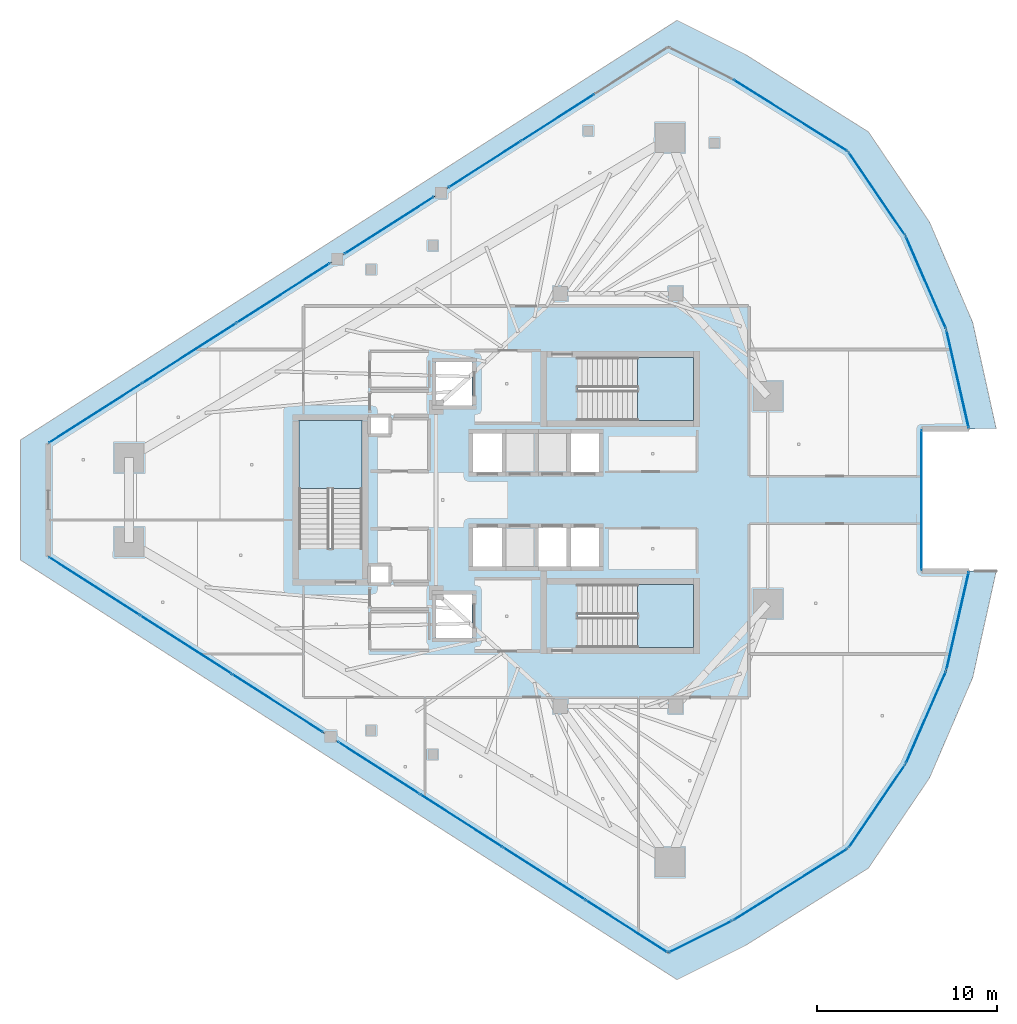
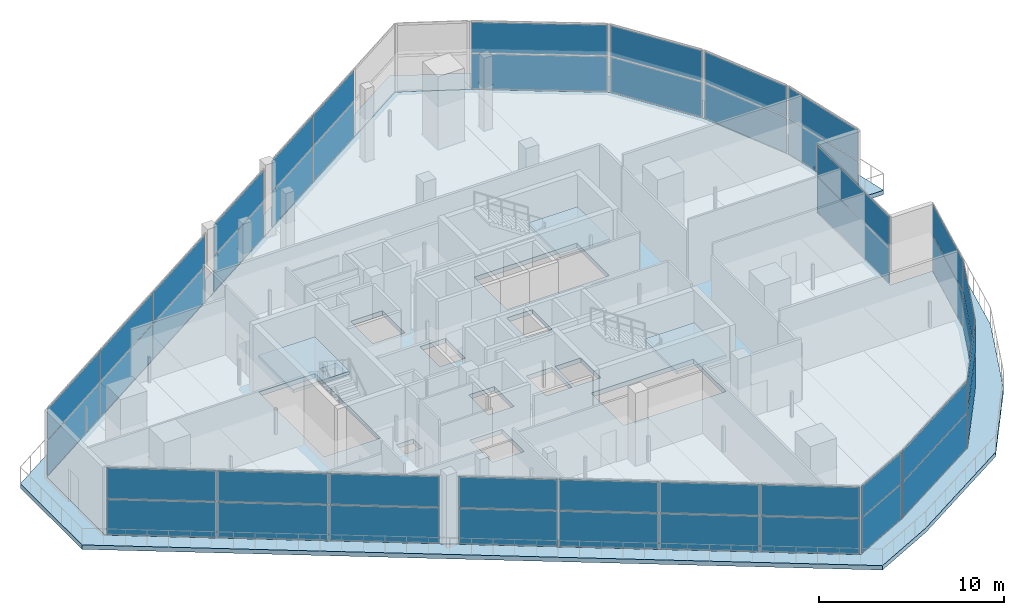
# One storey, part 24 of 36: 46 plates, 5 slabs, 18 elements without a shape of their own.
"""IFC4 building model written with IfcOpenShell, lengths in metres."""

import ifcopenshell
import ifcopenshell.guid

model = None  # the IFC model being written
_history = None  # IfcOwnerHistory: only IFC2X3 demands one
_inside = {}  # id of a spatial element -> (the spatial element, [elements in it])
_under = {}  # id of a project, library or spatial element -> (it, [spatial elements below it])
_declared = {}  # id of a project -> (the project, [libraries it declares])
_typed = {}  # id of a type object -> (the type object, [elements of that type])
_made_of = {}  # id of a material, layer set ... -> (it, [elements and type objects made of it])


def new_model(schema):
    """Start an empty IFC model of exactly this schema.

    Asked for "IFC4X3", IfcOpenShell would pick the latest addendum, in which some entities
    have other attributes; the version numbers below select the first issue.
    IFC2X3 requires an IfcOwnerHistory on every rooted entity: one is made here for all.
    """
    global model, _history
    if schema == "IFC4X3":
        model = ifcopenshell.file(schema_version=(4, 3, 0, 0))
    else:
        model = ifcopenshell.file(schema=schema)
    _inside.clear()
    _under.clear()
    _declared.clear()
    _typed.clear()
    _made_of.clear()
    _history = None
    if model.schema == "IFC2X3":
        org = make("IfcOrganization", Name="unknown")
        user = make(
            "IfcPersonAndOrganization",
            ThePerson=make("IfcPerson", FamilyName="unknown"),
            TheOrganization=org,
        )
        app = make(
            "IfcApplication",
            ApplicationDeveloper=org,
            Version="unknown",
            ApplicationFullName="unknown",
            ApplicationIdentifier="unknown",
        )
        _history = make(
            "IfcOwnerHistory",
            OwningUser=user,
            OwningApplication=app,
            ChangeAction="ADDED",
            CreationDate=0,
        )
    return model


def make(cls, **values):
    """One entity of the class cls with the attributes given. An attribute that is None is left unset."""
    return model.create_entity(
        cls, **{name: value for name, value in values.items() if value is not None}
    )


def rooted(cls, **values):
    """An entity with a GlobalId (a new one), such as an element, a storey or a relation."""
    return make(cls, GlobalId=ifcopenshell.guid.new(), OwnerHistory=_history, **values)


def si_unit(unit_type, name, prefix=None):
    """IfcSIUnit, for example si_unit("LENGTHUNIT", "METRE", prefix="MILLI")."""
    return make("IfcSIUnit", UnitType=unit_type, Prefix=prefix, Name=name)


def assignment(units):
    """IfcUnitAssignment: the units of a project."""
    return None if units is None else make("IfcUnitAssignment", Units=units)


def point(xyz):
    """IfcCartesianPoint."""
    return None if xyz is None else make("IfcCartesianPoint", Coordinates=xyz)


def direction(xyz):
    """IfcDirection."""
    return None if xyz is None else make("IfcDirection", DirectionRatios=xyz)


def frame(location, z_axis=None, x_axis=None):
    """IfcAxis2Placement3D, a coordinate frame: its origin and axes. An axis left out is left unset."""
    return make(
        "IfcAxis2Placement3D",
        Location=point(location),
        Axis=direction(z_axis),
        RefDirection=direction(x_axis),
    )


def frame_2d(location, x_axis=None):
    """IfcAxis2Placement2D, a coordinate frame in the plane: its origin and x axis."""
    return make(
        "IfcAxis2Placement2D", Location=point(location), RefDirection=direction(x_axis)
    )


def origin():
    """The frame at (0, 0, 0) with its axes left unset."""
    return frame((0.0, 0.0, 0.0))


def origin_2d():
    """The frame at (0, 0) in the plane with its x axis left unset."""
    return frame_2d((0.0, 0.0))


def place(relative_to, where):
    """IfcLocalPlacement: puts the frame where relative to a parent placement (None: the world)."""
    return make(
        "IfcLocalPlacement", PlacementRelTo=relative_to, RelativePlacement=where
    )


def context(
    kind, dimensions, precision=None, world=None, true_north=None, identifier=None
):
    """IfcGeometricRepresentationContext, for example the 3D "Model" context."""
    return make(
        "IfcGeometricRepresentationContext",
        ContextIdentifier=identifier,
        ContextType=kind,
        CoordinateSpaceDimension=dimensions,
        Precision=precision,
        WorldCoordinateSystem=world,
        TrueNorth=true_north,
    )


def subcontext(parent, identifier, kind, view, scale=None):
    """IfcGeometricRepresentationSubContext, for example "Body" below "Model"."""
    return make(
        "IfcGeometricRepresentationSubContext",
        ContextIdentifier=identifier,
        ContextType=kind,
        ParentContext=parent,
        TargetScale=scale,
        TargetView=view,
    )


def project(units=None, contexts=None):
    """IfcProject with its units and contexts."""
    return rooted(
        "IfcProject",
        Name="project",
        RepresentationContexts=contexts,
        UnitsInContext=assignment(units),
    )


def spatial(cls, under=None, at=None, **own):
    """A site, building, storey or space (cls), placed at a placement, below another one or the project."""
    s = rooted(cls, ObjectPlacement=at, **own)
    if under is not None:
        _under.setdefault(under.id(), (under, []))[1].append(s)
    return s


def polyline(points):
    """IfcPolyline through the points."""
    return make("IfcPolyline", Points=[point(p) for p in points])


def profile(cls, at=None, kind="AREA", **sizes):
    """A parametric profile (cls). Its sizes go by their IFC names, for example OverallWidth=200.0."""
    return make(cls, ProfileType=kind, Position=at, **sizes)


def rectangle(**sizes):
    """IfcRectangleProfileDef."""
    return profile("IfcRectangleProfileDef", **sizes)


def outline(outer, holes=None, kind="AREA"):
    """IfcArbitraryClosedProfileDef: a profile drawn as a closed curve; with holes, ...WithVoids."""
    if holes is None:
        return make("IfcArbitraryClosedProfileDef", ProfileType=kind, OuterCurve=outer)
    return make(
        "IfcArbitraryProfileDefWithVoids",
        ProfileType=kind,
        OuterCurve=outer,
        InnerCurves=holes,
    )


def extrude(swept, where, along, depth):
    """IfcExtrudedAreaSolid: the profile swept, set in the frame where, extruded along a direction by depth."""
    return make(
        "IfcExtrudedAreaSolid",
        SweptArea=swept,
        Position=where,
        ExtrudedDirection=direction(along),
        Depth=depth,
    )


def shape(context_of_items, identifier, shape_type, items):
    """IfcShapeRepresentation: the items that make up one representation, for example the "Body"."""
    return make(
        "IfcShapeRepresentation",
        ContextOfItems=context_of_items,
        RepresentationIdentifier=identifier,
        RepresentationType=shape_type,
        Items=items,
    )


def material(Name=None, Category=None):
    """IfcMaterial."""
    return make("IfcMaterial", Name=Name, Category=Category)


def layer(
    of_material, thickness, ventilated=None, Name=None, Category=None, Priority=None
):
    """IfcMaterialLayer: one layer of a wall or slab, of a material (None: an air gap)."""
    return make(
        "IfcMaterialLayer",
        Material=of_material,
        LayerThickness=thickness,
        IsVentilated=ventilated,
        Name=Name,
        Category=Category,
        Priority=Priority,
    )


def layer_set(layers, Name=None):
    """IfcMaterialLayerSet."""
    return make("IfcMaterialLayerSet", MaterialLayers=layers, LayerSetName=Name)


def made_of(thing, what):
    """Note that an element or type object is made of a material, layer set ...; save() writes the relation."""
    if what is not None:
        _made_of.setdefault(what.id(), (what, []))[1].append(thing)
    return thing


def type_object(cls, material=None, **own):
    """A type object (cls), such as IfcWallType, which elements share."""
    return made_of(rooted(cls, **own), material)


def element(
    cls,
    number,
    at=None,
    inside=None,
    cuts=None,
    type_object=None,
    material=None,
    context=None,
    identifier="Body",
    shape_type=None,
    held_by="IfcProductDefinitionShape",
    body=None,
    shapes=None,
    **own,
):
    """One element of the class cls, such as IfcWall. Its Tag is "e" and its number.

    at: its placement. inside: the storey or other place that contains it. cuts: it is an
    opening in that element (IfcRelVoidsElement). A single representation is given by context,
    identifier, shape_type and body (its items); several are given by shapes. held_by: the class
    of the entity that holds the representations. save() writes the other relations.
    """
    e = rooted(cls, Tag="e%d" % number, ObjectPlacement=at, **own)
    if body is not None:
        shapes = [shape(context, identifier, shape_type, body)]
    if shapes is not None:
        e.Representation = make(held_by, Representations=shapes)
    if inside is not None:
        _inside.setdefault(inside.id(), (inside, []))[1].append(e)
    if cuts is not None:
        rooted(
            "IfcRelVoidsElement", RelatingBuildingElement=cuts, RelatedOpeningElement=e
        )
    if type_object is not None:
        _typed.setdefault(type_object.id(), (type_object, []))[1].append(e)
    return made_of(e, material)


def aggregate(whole, parts):
    """IfcRelAggregates: a whole, such as a stair, and the parts it consists of."""
    return rooted("IfcRelAggregates", RelatingObject=whole, RelatedObjects=parts)


def save(model, path):
    """Write the relations noted so far, then the file.

    IfcRelAggregates (storeys below a building ...), IfcRelContainedInSpatialStructure (elements
    in a storey), IfcRelDefinesByType, IfcRelAssociatesMaterial and IfcRelDeclares: one each for
    every whole, place, type object, material and project.
    """
    for whole, parts in _under.values():
        aggregate(whole, parts)
    for where, things in _inside.values():
        rooted(
            "IfcRelContainedInSpatialStructure",
            RelatedElements=things,
            RelatingStructure=where,
        )
    for kind, things in _typed.values():
        rooted("IfcRelDefinesByType", RelatedObjects=things, RelatingType=kind)
    for what, things in _made_of.values():
        rooted("IfcRelAssociatesMaterial", RelatedObjects=things, RelatingMaterial=what)
    for by, libraries in _declared.values():
        rooted("IfcRelDeclares", RelatingContext=by, RelatedDefinitions=libraries)
    model.write(path)


model = new_model("IFC4")

# Units and contexts
model_context = context("Model", 3, precision=1e-05, world=origin(), true_north=direction((0.0, 1.0)))
body_context = subcontext(model_context, "Body", "Model", "MODEL_VIEW")
ifc_project = project(units=[si_unit("LENGTHUNIT", "METRE"), si_unit("AREAUNIT", "SQUARE_METRE"), si_unit("VOLUMEUNIT", "CUBIC_METRE"), si_unit("PLANEANGLEUNIT", "RADIAN"), si_unit("MASSUNIT", "GRAM", prefix="KILO")], contexts=[model_context])

# Site, building, storey
site_placement = place(None, origin())
site = spatial("IfcSite", under=ifc_project, at=site_placement, CompositionType="ELEMENT")
building_placement = place(site_placement, origin())
building = spatial("IfcBuilding", under=site, at=building_placement, Name="Qorvath Tower", CompositionType="ELEMENT")
storey_placement = place(building_placement, frame((0.0, 0.0, 255.0)))
storey = spatial("IfcBuildingStorey", under=building, at=storey_placement, Name="L59", CompositionType="ELEMENT", Elevation=255.0)

# Curtain wall, plates
ifc_material_1 = material(Name="Anodised aluminium and triple low-E glass", Category="aluminium")
ifc_layer_1 = layer(ifc_material_1, 0.179931640625)
ifc_layer_set_1 = layer_set([ifc_layer_1], Name="CW-SYS-5")
curtain_wall_type = type_object("IfcCurtainWallType", Name="CW-SYS-5", PredefinedType="NOTDEFINED", material=ifc_layer_set_1)
curtain_wall_1_placement = place(storey_placement, origin())
curtain_wall_1 = element("IfcCurtainWall", 1, at=curtain_wall_1_placement, inside=storey, type_object=curtain_wall_type, Name="Curtain Wall CW-5 CW-T-L59-2.1", PredefinedType="NOTDEFINED")
ifc_material_2 = material(Name="Acoustic laminated low-E glass", Category="glass")
ifc_layer_2 = layer(ifc_material_2, 0.0380859375)
ifc_layer_set_2 = layer_set([ifc_layer_2], Name="CWP-GLZ-38")
plate_type = type_object("IfcPlateType", Name="CWP-GLZ-38", PredefinedType="CURTAIN_PANEL", material=ifc_layer_set_2)
plate_1_placement = place(storey_placement, frame((-49.469970703125, -4.7822265625, 0.06494140625), z_axis=(0.0, 0.0, 1.0), x_axis=(0.842605265285, -0.538531676797, 0.0)))
plate_1 = element("IfcPlate", 2, at=plate_1_placement, type_object=plate_type, Name="CW-5 panel 1.1", PredefinedType="CURTAIN_PANEL", context=body_context, shape_type="SweptSolid", body=[
    extrude(rectangle(XDim=5.940673828125, YDim=0.0380859375, at=origin_2d()), origin(), (0.0, 0.0, 1.0), 2.302490234375),
])
plate_2_placement = place(storey_placement, frame((-49.469970703125, -4.7822265625, 2.432373046875), z_axis=(0.0, 0.0, 1.0), x_axis=(0.842605265285, -0.538531676797, 0.0)))
plate_2 = element("IfcPlate", 3, at=plate_2_placement, type_object=plate_type, Name="CW-5 panel 1.2", PredefinedType="CURTAIN_PANEL", context=body_context, shape_type="SweptSolid", body=[
    extrude(rectangle(XDim=5.940673828125, YDim=0.0380859375, at=origin_2d()), origin(), (0.0, 0.0, 1.0), 2.0126953125),
])
plate_3_placement = place(storey_placement, frame((-44.38525390625, -8.031982421875, 0.06494140625), z_axis=(0.0, 0.0, 1.0), x_axis=(0.842605265285, -0.538531676797, 0.0)))
plate_3 = element("IfcPlate", 4, at=plate_3_placement, type_object=plate_type, Name="CW-5 panel 2.1", PredefinedType="CURTAIN_PANEL", context=body_context, shape_type="SweptSolid", body=[
    extrude(rectangle(XDim=5.978271484375, YDim=0.0380859375, at=origin_2d()), origin(), (0.0, 0.0, 1.0), 2.302490234375),
])
plate_4_placement = place(storey_placement, frame((-44.38525390625, -8.031982421875, 2.432373046875), z_axis=(0.0, 0.0, 1.0), x_axis=(0.842605265285, -0.538531676797, 0.0)))
plate_4 = element("IfcPlate", 5, at=plate_4_placement, type_object=plate_type, Name="CW-5 panel 2.2", PredefinedType="CURTAIN_PANEL", context=body_context, shape_type="SweptSolid", body=[
    extrude(rectangle(XDim=5.978271484375, YDim=0.0380859375, at=origin_2d()), origin(), (0.0, 0.0, 1.0), 2.0126953125),
])
plate_5_placement = place(storey_placement, frame((-39.300537109375, -11.281982421875, 0.06494140625), z_axis=(0.0, 0.0, 1.0), x_axis=(0.842605265285, -0.538531676797, 0.0)))
plate_5 = element("IfcPlate", 6, at=plate_5_placement, type_object=plate_type, Name="CW-5 panel 3.1", PredefinedType="CURTAIN_PANEL", context=body_context, shape_type="SweptSolid", body=[
    extrude(rectangle(XDim=5.940673828125, YDim=0.0380859375, at=origin_2d()), origin(), (0.0, 0.0, 1.0), 2.302490234375),
])
plate_6_placement = place(storey_placement, frame((-39.300537109375, -11.281982421875, 2.432373046875), z_axis=(0.0, 0.0, 1.0), x_axis=(0.842605265285, -0.538531676797, 0.0)))
plate_6 = element("IfcPlate", 7, at=plate_6_placement, type_object=plate_type, Name="CW-5 panel 3.2", PredefinedType="CURTAIN_PANEL", context=body_context, shape_type="SweptSolid", body=[
    extrude(rectangle(XDim=5.940673828125, YDim=0.0380859375, at=origin_2d()), origin(), (0.0, 0.0, 1.0), 2.0126953125),
])
aggregate(curtain_wall_1, [plate_1, plate_2, plate_3, plate_4, plate_5, plate_6])

curtain_wall_2_placement = place(storey_placement, origin())
curtain_wall_2 = element("IfcCurtainWall", 8, at=curtain_wall_2_placement, inside=storey, type_object=curtain_wall_type, Name="Curtain Wall CW-5 CW-T-L59-2.2", PredefinedType="NOTDEFINED")
plate_7_placement = place(storey_placement, frame((-33.68212890625, -14.872802734375, 0.06494140625), z_axis=(0.0, 0.0, 1.0), x_axis=(0.842603545368, -0.538534367829, 0.0)))
plate_7 = element("IfcPlate", 9, at=plate_7_placement, type_object=plate_type, Name="CW-5 panel 1.1", PredefinedType="CURTAIN_PANEL", context=body_context, shape_type="SweptSolid", body=[
    extrude(rectangle(XDim=5.339111328125, YDim=0.0380859375, at=origin_2d()), origin(), (0.0, 0.0, 1.0), 2.302490234375),
])
plate_8_placement = place(storey_placement, frame((-33.68212890625, -14.872802734375, 2.432373046875), z_axis=(0.0, 0.0, 1.0), x_axis=(0.842603545368, -0.538534367829, 0.0)))
plate_8 = element("IfcPlate", 10, at=plate_8_placement, type_object=plate_type, Name="CW-5 panel 1.2", PredefinedType="CURTAIN_PANEL", context=body_context, shape_type="SweptSolid", body=[
    extrude(rectangle(XDim=5.339111328125, YDim=0.0380859375, at=origin_2d()), origin(), (0.0, 0.0, 1.0), 2.0126953125),
])
plate_9_placement = place(storey_placement, frame((-29.104248046875, -17.798583984375, 0.06494140625), z_axis=(0.0, 0.0, 1.0), x_axis=(0.842603545368, -0.538534367829, 0.0)))
plate_9 = element("IfcPlate", 11, at=plate_9_placement, type_object=plate_type, Name="CW-5 panel 2.1", PredefinedType="CURTAIN_PANEL", context=body_context, shape_type="SweptSolid", body=[
    extrude(rectangle(XDim=5.37646484375, YDim=0.0380859375, at=origin_2d()), origin(), (0.0, 0.0, 1.0), 2.302490234375),
])
plate_10_placement = place(storey_placement, frame((-29.104248046875, -17.798583984375, 2.432373046875), z_axis=(0.0, 0.0, 1.0), x_axis=(0.842603545368, -0.538534367829, 0.0)))
plate_10 = element("IfcPlate", 12, at=plate_10_placement, type_object=plate_type, Name="CW-5 panel 2.2", PredefinedType="CURTAIN_PANEL", context=body_context, shape_type="SweptSolid", body=[
    extrude(rectangle(XDim=5.37646484375, YDim=0.0380859375, at=origin_2d()), origin(), (0.0, 0.0, 1.0), 2.0126953125),
])
plate_11_placement = place(storey_placement, frame((-24.5107421875, -20.734375, 0.06494140625), z_axis=(0.0, 0.0, 1.0), x_axis=(0.842603545368, -0.538534367829, 0.0)))
plate_11 = element("IfcPlate", 13, at=plate_11_placement, type_object=plate_type, Name="CW-5 panel 3.1", PredefinedType="CURTAIN_PANEL", context=body_context, shape_type="SweptSolid", body=[
    extrude(rectangle(XDim=5.37646484375, YDim=0.0380859375, at=origin_2d()), origin(), (0.0, 0.0, 1.0), 2.302490234375),
])
plate_12_placement = place(storey_placement, frame((-24.5107421875, -20.734375, 2.432373046875), z_axis=(0.0, 0.0, 1.0), x_axis=(0.842603545368, -0.538534367829, 0.0)))
plate_12 = element("IfcPlate", 14, at=plate_12_placement, type_object=plate_type, Name="CW-5 panel 3.2", PredefinedType="CURTAIN_PANEL", context=body_context, shape_type="SweptSolid", body=[
    extrude(rectangle(XDim=5.37646484375, YDim=0.0380859375, at=origin_2d()), origin(), (0.0, 0.0, 1.0), 2.0126953125),
])
plate_13_placement = place(storey_placement, frame((-19.93310546875, -23.66015625, 0.06494140625), z_axis=(0.0, 0.0, 1.0), x_axis=(0.842603545368, -0.538534367829, 0.0)))
plate_13 = element("IfcPlate", 15, at=plate_13_placement, type_object=plate_type, Name="CW-5 panel 4.1", PredefinedType="CURTAIN_PANEL", context=body_context, shape_type="SweptSolid", body=[
    extrude(rectangle(XDim=5.339111328125, YDim=0.0380859375, at=origin_2d()), origin(), (0.0, 0.0, 1.0), 2.302490234375),
])
plate_14_placement = place(storey_placement, frame((-19.93310546875, -23.66015625, 2.432373046875), z_axis=(0.0, 0.0, 1.0), x_axis=(0.842603545368, -0.538534367829, 0.0)))
plate_14 = element("IfcPlate", 16, at=plate_14_placement, type_object=plate_type, Name="CW-5 panel 4.2", PredefinedType="CURTAIN_PANEL", context=body_context, shape_type="SweptSolid", body=[
    extrude(rectangle(XDim=5.339111328125, YDim=0.0380859375, at=origin_2d()), origin(), (0.0, 0.0, 1.0), 2.0126953125),
])
aggregate(curtain_wall_2, [plate_7, plate_8, plate_9, plate_10, plate_11, plate_12, plate_13, plate_14])

curtain_wall_3_placement = place(storey_placement, origin())
curtain_wall_3 = element("IfcCurtainWall", 17, at=curtain_wall_3_placement, inside=storey, type_object=curtain_wall_type, Name="Curtain Wall CW-5 CW-T-L59-3.1", PredefinedType="NOTDEFINED")
plate_15_placement = place(storey_placement, frame((-15.824951171875, -24.240478515625, 0.06494140625), z_axis=(0.0, 0.0, 1.0), x_axis=(0.894452095696, 0.44716378264, 0.0)))
plate_15 = element("IfcPlate", 18, at=plate_15_placement, type_object=plate_type, Name="CW-5 panel 1.1", PredefinedType="CURTAIN_PANEL", context=body_context, shape_type="SweptSolid", body=[
    extrude(rectangle(XDim=3.864990234375, YDim=0.0380859375, at=origin_2d()), origin(), (0.0, 0.0, 1.0), 2.302490234375),
])
plate_16_placement = place(storey_placement, frame((-15.824951171875, -24.240478515625, 2.432373046875), z_axis=(0.0, 0.0, 1.0), x_axis=(0.894452095696, 0.44716378264, 0.0)))
plate_16 = element("IfcPlate", 19, at=plate_16_placement, type_object=plate_type, Name="CW-5 panel 1.2", PredefinedType="CURTAIN_PANEL", context=body_context, shape_type="SweptSolid", body=[
    extrude(rectangle(XDim=3.864990234375, YDim=0.0380859375, at=origin_2d()), origin(), (0.0, 0.0, 1.0), 2.0126953125),
])
aggregate(curtain_wall_3, [plate_15, plate_16])

curtain_wall_4_placement = place(storey_placement, origin())
curtain_wall_4 = element("IfcCurtainWall", 20, at=curtain_wall_4_placement, inside=storey, type_object=curtain_wall_type, Name="Curtain Wall CW-5 CW-T-L59-4.1", PredefinedType="NOTDEFINED")
plate_17_placement = place(storey_placement, frame((-10.829833984375, -21.3408203125, 0.06494140625), z_axis=(0.0, 0.0, 1.0), x_axis=(0.847707173302, 0.530464464721, 0.0)))
plate_17 = element("IfcPlate", 21, at=plate_17_placement, type_object=plate_type, Name="CW-5 panel 1.1", PredefinedType="CURTAIN_PANEL", context=body_context, shape_type="SweptSolid", body=[
    extrude(rectangle(XDim=7.3984375, YDim=0.0380859375, at=origin_2d()), origin(), (0.0, 0.0, 1.0), 2.302490234375),
])
plate_18_placement = place(storey_placement, frame((-10.829833984375, -21.3408203125, 2.432373046875), z_axis=(0.0, 0.0, 1.0), x_axis=(0.847707173302, 0.530464464721, 0.0)))
plate_18 = element("IfcPlate", 22, at=plate_18_placement, type_object=plate_type, Name="CW-5 panel 1.2", PredefinedType="CURTAIN_PANEL", context=body_context, shape_type="SweptSolid", body=[
    extrude(rectangle(XDim=7.3984375, YDim=0.0380859375, at=origin_2d()), origin(), (0.0, 0.0, 1.0), 2.0126953125),
])
aggregate(curtain_wall_4, [plate_17, plate_18])

curtain_wall_5_placement = place(storey_placement, origin())
curtain_wall_5 = element("IfcCurtainWall", 23, at=curtain_wall_5_placement, inside=storey, type_object=curtain_wall_type, Name="Curtain Wall CW-5 CW-T-L59-5.1", PredefinedType="NOTDEFINED")
plate_19_placement = place(storey_placement, frame((-6.03662109375, -16.999755859375, 0.06494140625), z_axis=(0.0, 0.0, 1.0), x_axis=(0.563114791407, 0.826378685409, 0.0)))
plate_19 = element("IfcPlate", 24, at=plate_19_placement, type_object=plate_type, Name="CW-5 panel 1.1", PredefinedType="CURTAIN_PANEL", context=body_context, shape_type="SweptSolid", body=[
    extrude(rectangle(XDim=5.510498046875, YDim=0.0380859375, at=origin_2d()), origin(), (0.0, 0.0, 1.0), 2.302490234375),
])
plate_20_placement = place(storey_placement, frame((-6.03662109375, -16.999755859375, 2.432373046875), z_axis=(0.0, 0.0, 1.0), x_axis=(0.563114791407, 0.826378685409, 0.0)))
plate_20 = element("IfcPlate", 25, at=plate_20_placement, type_object=plate_type, Name="CW-5 panel 1.2", PredefinedType="CURTAIN_PANEL", context=body_context, shape_type="SweptSolid", body=[
    extrude(rectangle(XDim=5.510498046875, YDim=0.0380859375, at=origin_2d()), origin(), (0.0, 0.0, 1.0), 2.0126953125),
])
aggregate(curtain_wall_5, [plate_19, plate_20])

curtain_wall_6_placement = place(storey_placement, origin())
curtain_wall_6 = element("IfcCurtainWall", 26, at=curtain_wall_6_placement, inside=storey, type_object=curtain_wall_type, Name="Curtain Wall CW-5 CW-T-L59-6.1", PredefinedType="NOTDEFINED")
plate_21_placement = place(storey_placement, frame((-3.311767578125, -12.06640625, 0.06494140625), z_axis=(0.0, 0.0, 1.0), x_axis=(0.399665730312, 0.916660953687, 0.0)))
plate_21 = element("IfcPlate", 27, at=plate_21_placement, type_object=plate_type, Name="CW-5 panel 1.1", PredefinedType="CURTAIN_PANEL", context=body_context, shape_type="SweptSolid", body=[
    extrude(rectangle(XDim=5.510986328125, YDim=0.0380859375, at=origin_2d()), origin(), (0.0, 0.0, 1.0), 2.302490234375),
])
plate_22_placement = place(storey_placement, frame((-3.311767578125, -12.06640625, 2.432373046875), z_axis=(0.0, 0.0, 1.0), x_axis=(0.399665730312, 0.916660953687, 0.0)))
plate_22 = element("IfcPlate", 28, at=plate_22_placement, type_object=plate_type, Name="CW-5 panel 1.2", PredefinedType="CURTAIN_PANEL", context=body_context, shape_type="SweptSolid", body=[
    extrude(rectangle(XDim=5.510986328125, YDim=0.0380859375, at=origin_2d()), origin(), (0.0, 0.0, 1.0), 2.0126953125),
])
aggregate(curtain_wall_6, [plate_21, plate_22])

curtain_wall_7_placement = place(storey_placement, origin())
curtain_wall_7 = element("IfcCurtainWall", 29, at=curtain_wall_7_placement, inside=storey, type_object=curtain_wall_type, Name="Curtain Wall CW-5 CW-T-L59-7.1", PredefinedType="NOTDEFINED")
plate_23_placement = place(storey_placement, frame((-1.55126953125, -6.71240234375, 0.06494140625), z_axis=(0.0, 0.0, 1.0), x_axis=(0.22233117012, 0.97497120511, 0.0)))
plate_23 = element("IfcPlate", 30, at=plate_23_placement, type_object=plate_type, Name="CW-5 panel 1.1", PredefinedType="CURTAIN_PANEL", context=body_context, shape_type="SweptSolid", body=[
    extrude(rectangle(XDim=5.510498046875, YDim=0.0380859375, at=origin_2d()), origin(), (0.0, 0.0, 1.0), 2.302490234375),
])
plate_24_placement = place(storey_placement, frame((-1.55126953125, -6.71240234375, 2.432373046875), z_axis=(0.0, 0.0, 1.0), x_axis=(0.22233117012, 0.97497120511, 0.0)))
plate_24 = element("IfcPlate", 31, at=plate_24_placement, type_object=plate_type, Name="CW-5 panel 1.2", PredefinedType="CURTAIN_PANEL", context=body_context, shape_type="SweptSolid", body=[
    extrude(rectangle(XDim=5.510498046875, YDim=0.0380859375, at=origin_2d()), origin(), (0.0, 0.0, 1.0), 2.0126953125),
])
aggregate(curtain_wall_7, [plate_23, plate_24])

curtain_wall_8_placement = place(storey_placement, origin())
curtain_wall_8 = element("IfcCurtainWall", 32, at=curtain_wall_8_placement, inside=storey, type_object=curtain_wall_type, Name="Curtain Wall CW-5 CW-T-L59-9.1", PredefinedType="NOTDEFINED")
plate_25_placement = place(storey_placement, frame((-3.556884765625, 0.0, 0.06494140625), z_axis=(0.0, 0.0, 1.0), x_axis=(0.0, 1.0, 0.0)))
plate_25 = element("IfcPlate", 33, at=plate_25_placement, type_object=plate_type, Name="CW-5 panel 1.1", PredefinedType="CURTAIN_PANEL", context=body_context, shape_type="SweptSolid", body=[
    extrude(rectangle(XDim=7.755859375, YDim=0.0380859375, at=origin_2d()), origin(), (0.0, 0.0, 1.0), 2.302490234375),
])
plate_26_placement = place(storey_placement, frame((-3.556884765625, 0.0, 2.432373046875), z_axis=(0.0, 0.0, 1.0), x_axis=(0.0, 1.0, 0.0)))
plate_26 = element("IfcPlate", 34, at=plate_26_placement, type_object=plate_type, Name="CW-5 panel 1.2", PredefinedType="CURTAIN_PANEL", context=body_context, shape_type="SweptSolid", body=[
    extrude(rectangle(XDim=7.755859375, YDim=0.0380859375, at=origin_2d()), origin(), (0.0, 0.0, 1.0), 2.0126953125),
])
aggregate(curtain_wall_8, [plate_25, plate_26])

curtain_wall_9_placement = place(storey_placement, origin())
curtain_wall_9 = element("IfcCurtainWall", 35, at=curtain_wall_9_placement, inside=storey, type_object=curtain_wall_type, Name="Curtain Wall CW-5 CW-T-L59-11.1", PredefinedType="NOTDEFINED")
plate_27_placement = place(storey_placement, frame((-1.55126953125, 6.71240234375, 0.06494140625), z_axis=(0.0, 0.0, 1.0), x_axis=(-0.22233117012, 0.97497120511, 0.0)))
plate_27 = element("IfcPlate", 36, at=plate_27_placement, type_object=plate_type, Name="CW-5 panel 1.1", PredefinedType="CURTAIN_PANEL", context=body_context, shape_type="SweptSolid", body=[
    extrude(rectangle(XDim=5.510498046875, YDim=0.0380859375, at=origin_2d()), origin(), (0.0, 0.0, 1.0), 2.302490234375),
])
plate_28_placement = place(storey_placement, frame((-1.55126953125, 6.71240234375, 2.432373046875), z_axis=(0.0, 0.0, 1.0), x_axis=(-0.22233117012, 0.97497120511, 0.0)))
plate_28 = element("IfcPlate", 37, at=plate_28_placement, type_object=plate_type, Name="CW-5 panel 1.2", PredefinedType="CURTAIN_PANEL", context=body_context, shape_type="SweptSolid", body=[
    extrude(rectangle(XDim=5.510498046875, YDim=0.0380859375, at=origin_2d()), origin(), (0.0, 0.0, 1.0), 2.0126953125),
])
aggregate(curtain_wall_9, [plate_27, plate_28])

curtain_wall_10_placement = place(storey_placement, origin())
curtain_wall_10 = element("IfcCurtainWall", 38, at=curtain_wall_10_placement, inside=storey, type_object=curtain_wall_type, Name="Curtain Wall CW-5 CW-T-L59-12.1", PredefinedType="NOTDEFINED")
plate_29_placement = place(storey_placement, frame((-3.311767578125, 12.06640625, 0.06494140625), z_axis=(0.0, 0.0, 1.0), x_axis=(-0.399665730312, 0.916660953687, 0.0)))
plate_29 = element("IfcPlate", 39, at=plate_29_placement, type_object=plate_type, Name="CW-5 panel 1.1", PredefinedType="CURTAIN_PANEL", context=body_context, shape_type="SweptSolid", body=[
    extrude(rectangle(XDim=5.510986328125, YDim=0.0380859375, at=origin_2d()), origin(), (0.0, 0.0, 1.0), 2.302490234375),
])
plate_30_placement = place(storey_placement, frame((-3.311767578125, 12.06640625, 2.432373046875), z_axis=(0.0, 0.0, 1.0), x_axis=(-0.399665730312, 0.916660953687, 0.0)))
plate_30 = element("IfcPlate", 40, at=plate_30_placement, type_object=plate_type, Name="CW-5 panel 1.2", PredefinedType="CURTAIN_PANEL", context=body_context, shape_type="SweptSolid", body=[
    extrude(rectangle(XDim=5.510986328125, YDim=0.0380859375, at=origin_2d()), origin(), (0.0, 0.0, 1.0), 2.0126953125),
])
aggregate(curtain_wall_10, [plate_29, plate_30])

curtain_wall_11_placement = place(storey_placement, origin())
curtain_wall_11 = element("IfcCurtainWall", 41, at=curtain_wall_11_placement, inside=storey, type_object=curtain_wall_type, Name="Curtain Wall CW-5 CW-T-L59-13.1", PredefinedType="NOTDEFINED")
plate_31_placement = place(storey_placement, frame((-6.03662109375, 16.999755859375, 0.06494140625), z_axis=(0.0, 0.0, 1.0), x_axis=(-0.563114791407, 0.826378685409, 0.0)))
plate_31 = element("IfcPlate", 42, at=plate_31_placement, type_object=plate_type, Name="CW-5 panel 1.1", PredefinedType="CURTAIN_PANEL", context=body_context, shape_type="SweptSolid", body=[
    extrude(rectangle(XDim=5.510498046875, YDim=0.0380859375, at=origin_2d()), origin(), (0.0, 0.0, 1.0), 2.302490234375),
])
plate_32_placement = place(storey_placement, frame((-6.03662109375, 16.999755859375, 2.432373046875), z_axis=(0.0, 0.0, 1.0), x_axis=(-0.563114791407, 0.826378685409, 0.0)))
plate_32 = element("IfcPlate", 43, at=plate_32_placement, type_object=plate_type, Name="CW-5 panel 1.2", PredefinedType="CURTAIN_PANEL", context=body_context, shape_type="SweptSolid", body=[
    extrude(rectangle(XDim=5.510498046875, YDim=0.0380859375, at=origin_2d()), origin(), (0.0, 0.0, 1.0), 2.0126953125),
])
aggregate(curtain_wall_11, [plate_31, plate_32])

curtain_wall_12_placement = place(storey_placement, origin())
curtain_wall_12 = element("IfcCurtainWall", 44, at=curtain_wall_12_placement, inside=storey, type_object=curtain_wall_type, Name="Curtain Wall CW-5 CW-T-L59-14.1", PredefinedType="NOTDEFINED")
plate_33_placement = place(storey_placement, frame((-10.829833984375, 21.3408203125, 0.06494140625), z_axis=(0.0, 0.0, 1.0), x_axis=(-0.847707173302, 0.530464464721, 0.0)))
plate_33 = element("IfcPlate", 45, at=plate_33_placement, type_object=plate_type, Name="CW-5 panel 1.1", PredefinedType="CURTAIN_PANEL", context=body_context, shape_type="SweptSolid", body=[
    extrude(rectangle(XDim=7.3984375, YDim=0.0380859375, at=origin_2d()), origin(), (0.0, 0.0, 1.0), 2.302490234375),
])
plate_34_placement = place(storey_placement, frame((-10.829833984375, 21.3408203125, 2.432373046875), z_axis=(0.0, 0.0, 1.0), x_axis=(-0.847707173302, 0.530464464721, 0.0)))
plate_34 = element("IfcPlate", 46, at=plate_34_placement, type_object=plate_type, Name="CW-5 panel 1.2", PredefinedType="CURTAIN_PANEL", context=body_context, shape_type="SweptSolid", body=[
    extrude(rectangle(XDim=7.3984375, YDim=0.0380859375, at=origin_2d()), origin(), (0.0, 0.0, 1.0), 2.0126953125),
])
aggregate(curtain_wall_12, [plate_33, plate_34])

curtain_wall_13_placement = place(storey_placement, origin())
curtain_wall_13 = element("IfcCurtainWall", 47, at=curtain_wall_13_placement, inside=storey, type_object=curtain_wall_type, Name="Curtain Wall CW-5 CW-T-L59-16.1", PredefinedType="NOTDEFINED")
plate_35_placement = place(storey_placement, frame((-23.73779296875, 21.228515625, 0.06494140625), z_axis=(0.0, 0.0, 1.0), x_axis=(-0.842603200699, -0.538534907106, 0.0)))
plate_35 = element("IfcPlate", 48, at=plate_35_placement, type_object=plate_type, Name="CW-5 panel 2.1", PredefinedType="CURTAIN_PANEL", context=body_context, shape_type="SweptSolid", body=[
    extrude(rectangle(XDim=4.764892578125, YDim=0.0380859375, at=origin_2d()), origin(), (0.0, 0.0, 1.0), 2.302490234375),
])
plate_36_placement = place(storey_placement, frame((-23.73779296875, 21.228515625, 2.432373046875), z_axis=(0.0, 0.0, 1.0), x_axis=(-0.842603200699, -0.538534907106, 0.0)))
plate_36 = element("IfcPlate", 49, at=plate_36_placement, type_object=plate_type, Name="CW-5 panel 2.2", PredefinedType="CURTAIN_PANEL", context=body_context, shape_type="SweptSolid", body=[
    extrude(rectangle(XDim=4.764892578125, YDim=0.0380859375, at=origin_2d()), origin(), (0.0, 0.0, 1.0), 2.0126953125),
])
plate_37_placement = place(storey_placement, frame((-27.800048828125, 18.632080078125, 0.06494140625), z_axis=(0.0, 0.0, 1.0), x_axis=(-0.842603200699, -0.538534907106, 0.0)))
plate_37 = element("IfcPlate", 50, at=plate_37_placement, type_object=plate_type, Name="CW-5 panel 3.1", PredefinedType="CURTAIN_PANEL", context=body_context, shape_type="SweptSolid", body=[
    extrude(rectangle(XDim=4.7275390625, YDim=0.0380859375, at=origin_2d()), origin(), (0.0, 0.0, 1.0), 2.302490234375),
])
plate_38_placement = place(storey_placement, frame((-27.800048828125, 18.632080078125, 2.432373046875), z_axis=(0.0, 0.0, 1.0), x_axis=(-0.842603200699, -0.538534907106, 0.0)))
plate_38 = element("IfcPlate", 51, at=plate_38_placement, type_object=plate_type, Name="CW-5 panel 3.2", PredefinedType="CURTAIN_PANEL", context=body_context, shape_type="SweptSolid", body=[
    extrude(rectangle(XDim=4.7275390625, YDim=0.0380859375, at=origin_2d()), origin(), (0.0, 0.0, 1.0), 2.0126953125),
])
aggregate(curtain_wall_13, [plate_35, plate_36, plate_37, plate_38])

curtain_wall_14_placement = place(storey_placement, origin())
curtain_wall_14 = element("IfcCurtainWall", 52, at=curtain_wall_14_placement, inside=storey, type_object=curtain_wall_type, Name="Curtain Wall CW-5 CW-T-L59-16.2", PredefinedType="NOTDEFINED")
plate_39_placement = place(storey_placement, frame((-33.102783203125, 15.242919921875, 0.06494140625), z_axis=(0.0, 0.0, 1.0), x_axis=(-0.842590384331, -0.538554959343, 0.0)))
plate_39 = element("IfcPlate", 53, at=plate_39_placement, type_object=plate_type, Name="CW-5 panel 1.1", PredefinedType="CURTAIN_PANEL", context=body_context, shape_type="SweptSolid", body=[
    extrude(rectangle(XDim=5.802490234375, YDim=0.0380859375, at=origin_2d()), origin(), (0.0, 0.0, 1.0), 2.302490234375),
])
plate_40_placement = place(storey_placement, frame((-33.102783203125, 15.242919921875, 2.432373046875), z_axis=(0.0, 0.0, 1.0), x_axis=(-0.842590384331, -0.538554959343, 0.0)))
plate_40 = element("IfcPlate", 54, at=plate_40_placement, type_object=plate_type, Name="CW-5 panel 1.2", PredefinedType="CURTAIN_PANEL", context=body_context, shape_type="SweptSolid", body=[
    extrude(rectangle(XDim=5.802490234375, YDim=0.0380859375, at=origin_2d()), origin(), (0.0, 0.0, 1.0), 2.0126953125),
])
aggregate(curtain_wall_14, [plate_39, plate_40])

curtain_wall_15_placement = place(storey_placement, origin())
curtain_wall_15 = element("IfcCurtainWall", 55, at=curtain_wall_15_placement, inside=storey, type_object=curtain_wall_type, Name="Curtain Wall CW-5 CW-T-L59-16.3", PredefinedType="NOTDEFINED")
plate_41_placement = place(storey_placement, frame((-38.980712890625, 11.486328125, 0.06494140625), z_axis=(0.0, 0.0, 1.0), x_axis=(-0.842608305531, -0.538526919894, 0.0)))
plate_41 = element("IfcPlate", 56, at=plate_41_placement, type_object=plate_type, Name="CW-5 panel 1.1", PredefinedType="CURTAIN_PANEL", context=body_context, shape_type="SweptSolid", body=[
    extrude(rectangle(XDim=6.092529296875, YDim=0.0380859375, at=origin_2d()), origin(), (0.0, 0.0, 1.0), 2.302490234375),
])
plate_42_placement = place(storey_placement, frame((-38.980712890625, 11.486328125, 2.432373046875), z_axis=(0.0, 0.0, 1.0), x_axis=(-0.842608305531, -0.538526919894, 0.0)))
plate_42 = element("IfcPlate", 57, at=plate_42_placement, type_object=plate_type, Name="CW-5 panel 1.2", PredefinedType="CURTAIN_PANEL", context=body_context, shape_type="SweptSolid", body=[
    extrude(rectangle(XDim=6.092529296875, YDim=0.0380859375, at=origin_2d()), origin(), (0.0, 0.0, 1.0), 2.0126953125),
])
plate_43_placement = place(storey_placement, frame((-44.193359375, 8.15478515625, 0.06494140625), z_axis=(0.0, 0.0, 1.0), x_axis=(-0.842608305531, -0.538526919894, 0.0)))
plate_43 = element("IfcPlate", 58, at=plate_43_placement, type_object=plate_type, Name="CW-5 panel 2.1", PredefinedType="CURTAIN_PANEL", context=body_context, shape_type="SweptSolid", body=[
    extrude(rectangle(XDim=6.130126953125, YDim=0.0380859375, at=origin_2d()), origin(), (0.0, 0.0, 1.0), 2.302490234375),
])
plate_44_placement = place(storey_placement, frame((-44.193359375, 8.15478515625, 2.432373046875), z_axis=(0.0, 0.0, 1.0), x_axis=(-0.842608305531, -0.538526919894, 0.0)))
plate_44 = element("IfcPlate", 59, at=plate_44_placement, type_object=plate_type, Name="CW-5 panel 2.2", PredefinedType="CURTAIN_PANEL", context=body_context, shape_type="SweptSolid", body=[
    extrude(rectangle(XDim=6.130126953125, YDim=0.0380859375, at=origin_2d()), origin(), (0.0, 0.0, 1.0), 2.0126953125),
])
plate_45_placement = place(storey_placement, frame((-49.406005859375, 4.8232421875, 0.06494140625), z_axis=(0.0, 0.0, 1.0), x_axis=(-0.842608305531, -0.538526919894, 0.0)))
plate_45 = element("IfcPlate", 60, at=plate_45_placement, type_object=plate_type, Name="CW-5 panel 3.1", PredefinedType="CURTAIN_PANEL", context=body_context, shape_type="SweptSolid", body=[
    extrude(rectangle(XDim=6.092529296875, YDim=0.0380859375, at=origin_2d()), origin(), (0.0, 0.0, 1.0), 2.302490234375),
])
plate_46_placement = place(storey_placement, frame((-49.406005859375, 4.8232421875, 2.432373046875), z_axis=(0.0, 0.0, 1.0), x_axis=(-0.842608305531, -0.538526919894, 0.0)))
plate_46 = element("IfcPlate", 61, at=plate_46_placement, type_object=plate_type, Name="CW-5 panel 3.2", PredefinedType="CURTAIN_PANEL", context=body_context, shape_type="SweptSolid", body=[
    extrude(rectangle(XDim=6.092529296875, YDim=0.0380859375, at=origin_2d()), origin(), (0.0, 0.0, 1.0), 2.0126953125),
])
aggregate(curtain_wall_15, [plate_41, plate_42, plate_43, plate_44, plate_45, plate_46])

# Stair, slab
ifc_material_3 = material(Name="Concrete C50/60", Category="concrete")
stair_type = type_object("IfcStairType", Name="ST-H480", PredefinedType="HALF_TURN_STAIR", material=ifc_material_3)
stair_1_placement = place(storey_placement, origin())
stair_1 = element("IfcStair", 62, at=stair_1_placement, inside=storey, type_object=stair_type, Name="L59 Tower Exit Stair 1", PredefinedType="HALF_TURN_STAIR")
ifc_material_4 = material(Name="Concrete C50/60", Category="concrete")
ifc_layer_3 = layer(ifc_material_4, 0.199951171875)
ifc_layer_set_3 = layer_set([ifc_layer_3], Name="SL-LND-200")
slab_type_1 = type_object("IfcSlabType", Name="SL-LND-200", PredefinedType="LANDING", material=ifc_layer_set_3)
slab_1_placement = place(storey_placement, frame((0.0, 0.0, 2.199951171875)))
slab_1 = element("IfcSlab", 63, at=slab_1_placement, type_object=slab_type_1, Name="TS1 landing 1", PredefinedType="LANDING", context=body_context, shape_type="SweptSolid", body=[
    extrude(outline(polyline([(-19.31005859375, 4.39990234375), (-16.199951171875, 4.39990234375), (-16.199951171875, 7.909912109375), (-19.31005859375, 7.909912109375), (-19.31005859375, 4.39990234375)])), origin(), (0.0, 0.0, 1.0), 0.199951171875),
])
aggregate(stair_1, [slab_1])

stair_2_placement = place(storey_placement, origin())
stair_2 = element("IfcStair", 64, at=stair_2_placement, inside=storey, type_object=stair_type, Name="L59 Tower Exit Stair 2", PredefinedType="HALF_TURN_STAIR")
slab_2_placement = place(storey_placement, frame((0.0, 0.0, 2.199951171875)))
slab_2 = element("IfcSlab", 65, at=slab_2_placement, type_object=slab_type_1, Name="TS2 landing 1", PredefinedType="LANDING", context=body_context, shape_type="SweptSolid", body=[
    extrude(outline(polyline([(-19.31005859375, -8.199951171875), (-16.199951171875, -8.199951171875), (-16.199951171875, -4.68994140625), (-19.31005859375, -4.68994140625), (-19.31005859375, -8.199951171875)])), origin(), (0.0, 0.0, 1.0), 0.199951171875),
])
aggregate(stair_2, [slab_2])

stair_3_placement = place(storey_placement, origin())
stair_3 = element("IfcStair", 66, at=stair_3_placement, inside=storey, type_object=stair_type, Name="L59 Tower Exit Stair 3", PredefinedType="HALF_TURN_STAIR")
slab_3_placement = place(storey_placement, frame((0.0, 0.0, 2.199951171875)))
slab_3 = element("IfcSlab", 67, at=slab_3_placement, type_object=slab_type_1, Name="TS3 landing 1", PredefinedType="LANDING", context=body_context, shape_type="SweptSolid", body=[
    extrude(outline(polyline([(-34.60009765625, 0.639892578125), (-34.60009765625, 4.39990234375), (-38.110107421875, 4.39990234375), (-38.110107421875, 0.639892578125), (-34.60009765625, 0.639892578125)])), origin(), (0.0, 0.0, 1.0), 0.199951171875),
])
aggregate(stair_3, [slab_3])

# Slabs
ifc_material_5 = material(Name="Precast concrete C45/55", Category="concrete")
ifc_layer_4 = layer(ifc_material_5, 0.2900390625)
ifc_layer_set_4 = layer_set([ifc_layer_4], Name="SL-LOG-290")
slab_type_2 = type_object("IfcSlabType", Name="SL-LOG-290", PredefinedType="FLOOR", material=ifc_layer_set_4)
slab_4_placement = place(storey_placement, frame((0.0, 0.0, -0.2900390625)))
element("IfcSlab", 68, at=slab_4_placement, inside=storey, type_object=slab_type_2, Name="Tower L59 Perimeter Loggia and Terrace Slab", PredefinedType="FLOOR", context=body_context, shape_type="SweptSolid", body=[
    extrude(outline(polyline([(-0.921875, -3.952880859375), (-2.180419921875, -9.4716796875), (-4.44287109375, -14.660888671875), (-7.63037109375, -19.338623046875), (-14.029296875, -23.3427734375), (-17.62060546875, -25.13818359375), (-52.0361328125, -3.142333984375), (-52.0361328125, 3.142333984375), (-17.62060546875, 25.13818359375), (-14.029296875, 23.3427734375), (-7.63037109375, 19.338623046875), (-4.44287109375, 14.660888671875), (-2.180419921875, 9.4716796875), (-0.921875, 3.952880859375), (0.5869140625, 3.952880859375), (-0.72119140625, 9.86279296875), (-3.114990234375, 15.42236328125), (-6.509765625, 20.433837890625), (-13.323486328125, 24.71923828125), (-17.12646484375, 26.62060546875), (-53.5712890625, 3.32763671875), (-53.5712890625, -3.32763671875), (-17.12646484375, -26.62060546875), (-13.323486328125, -24.71923828125), (-6.509765625, -20.433837890625), (-3.114990234375, -15.42236328125), (-0.72119140625, -9.86279296875), (0.5869140625, -3.952880859375), (-0.921875, -3.952880859375)])), origin(), (0.0, 0.0, 1.0), 0.2900390625),
])
ifc_material_6 = material(Name="Concrete C50/60", Category="concrete")
ifc_layer_5 = layer(ifc_material_6, 0.300048828125)
ifc_layer_set_5 = layer_set([ifc_layer_5], Name="SL-PLANT-300")
slab_type_3 = type_object("IfcSlabType", Name="SL-PLANT-300", PredefinedType="FLOOR", material=ifc_layer_set_5)
slab_5_placement = place(storey_placement, frame((0.0, 0.0, -0.300048828125)))
element("IfcSlab", 69, at=slab_5_placement, inside=storey, type_object=slab_type_3, Name="Tower L59 Interior Floor Slab", PredefinedType="FLOOR", context=body_context, shape_type="SweptSolid", body=[
    extrude(outline(polyline([(-52.0361328125, 3.142333984375), (-52.0361328125, -3.142333984375), (-17.62060546875, -25.13818359375), (-14.029296875, -23.3427734375), (-7.63037109375, -19.338623046875), (-4.44287109375, -14.660888671875), (-2.180419921875, -9.4716796875), (-0.921875, -3.952880859375), (-3.556884765625, -3.952880859375), (-3.556884765625, 3.952880859375), (-0.921875, 3.952880859375), (-2.180419921875, 9.4716796875), (-4.44287109375, 14.660888671875), (-7.63037109375, 19.338623046875), (-14.029296875, 23.3427734375), (-17.62060546875, 25.13818359375), (-52.0361328125, 3.142333984375)]), holes=[polyline([(-16.2451171875, -8.199951171875), (-22.625, -8.199951171875), (-22.625, -4.68994140625), (-16.2451171875, -4.68994140625), (-16.2451171875, -8.199951171875)]), polyline([(-22.625, 4.39990234375), (-22.625, 7.909912109375), (-16.2451171875, 7.909912109375), (-16.2451171875, 4.39990234375), (-22.625, 4.39990234375)]), polyline([(-21.449951171875, -3.699951171875), (-23.050048828125, -3.699951171875), (-23.050048828125, -1.550048828125), (-21.449951171875, -1.550048828125), (-21.449951171875, -3.699951171875)]), polyline([(-23.050048828125, 1.550048828125), (-23.050048828125, 3.699951171875), (-21.449951171875, 3.699951171875), (-21.449951171875, 1.550048828125), (-23.050048828125, 1.550048828125)]), polyline([(-24.85009765625, -3.699951171875), (-24.85009765625, -1.550048828125), (-23.25, -1.550048828125), (-23.25, -3.699951171875), (-24.85009765625, -3.699951171875)]), polyline([(-28.449951171875, -3.699951171875), (-28.449951171875, -1.550048828125), (-26.85009765625, -1.550048828125), (-26.85009765625, -3.699951171875), (-28.449951171875, -3.699951171875)]), polyline([(-26.85009765625, 1.550048828125), (-28.449951171875, 1.550048828125), (-28.449951171875, 3.699951171875), (-26.85009765625, 3.699951171875), (-26.85009765625, 1.550048828125)]), polyline([(-28.5, -7.64990234375), (-30.5, -7.64990234375), (-30.5, -5.25), (-28.5, -5.25), (-28.5, -7.64990234375)]), polyline([(-30.5, 5.25), (-30.5, 7.64990234375), (-28.5, 7.64990234375), (-28.5, 5.25), (-30.5, 5.25)]), polyline([(-34.14990234375, -4.6201171875), (-34.14990234375, -3.64990234375), (-33.10009765625, -3.64990234375), (-33.10009765625, -4.6201171875), (-34.14990234375, -4.6201171875)]), polyline([(-34.14990234375, 3.64990234375), (-34.14990234375, 4.6201171875), (-33.10009765625, 4.6201171875), (-33.10009765625, 3.64990234375), (-34.14990234375, 3.64990234375)]), polyline([(-34.60009765625, -2.675048828125), (-38.110107421875, -2.675048828125), (-38.110107421875, 4.35498046875), (-34.60009765625, 4.35498046875), (-34.60009765625, -2.675048828125)])]), origin(), (0.0, 0.0, 1.0), 0.300048828125),
])

save(model, "model.ifc")
